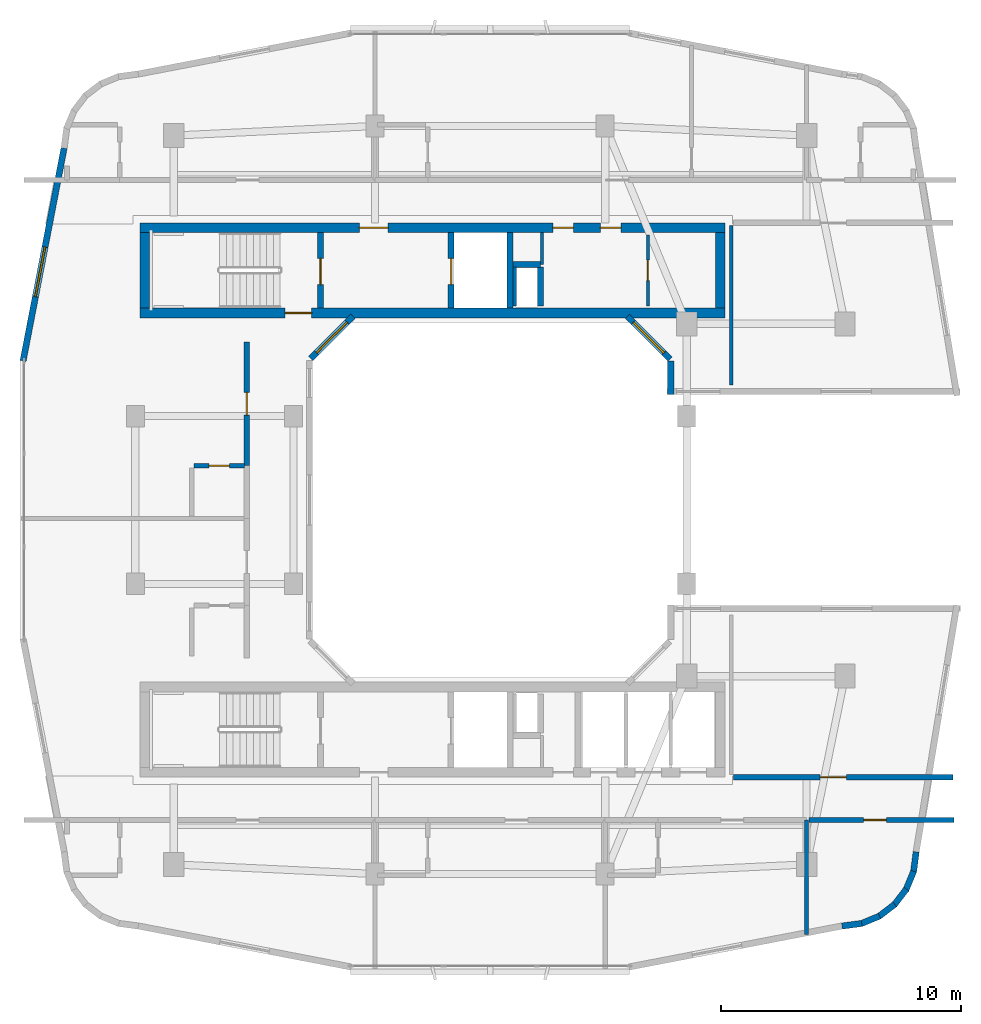
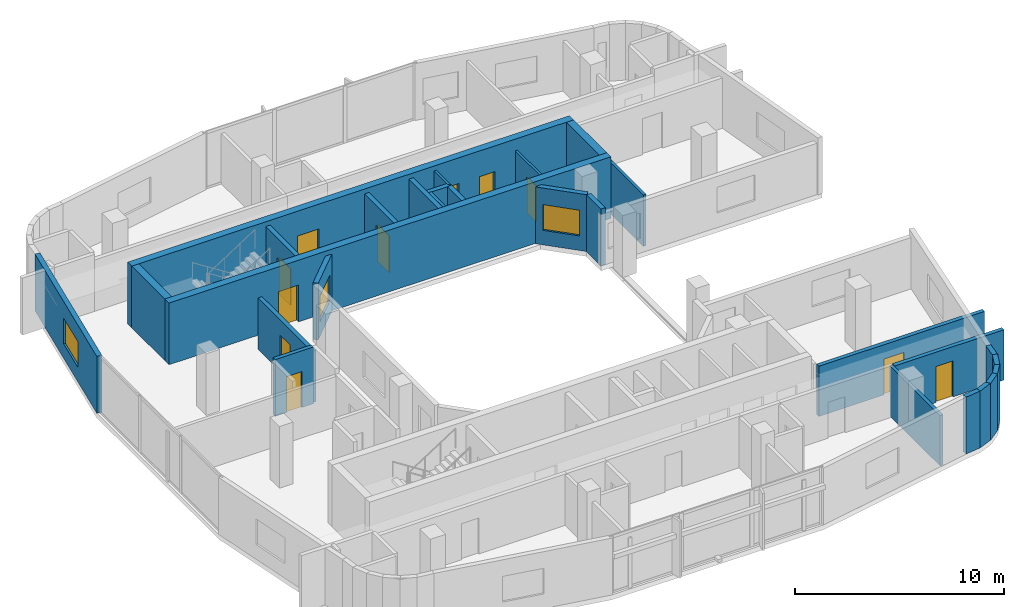
# One storey, part 6 of 12: 28 walls, 11 doors, 3 windows, 14 openings.
"""IFC4 building model written with IfcOpenShell, lengths in metres."""

from ifc_helpers import new_model, si_unit, derived_unit, direction, frame, frame_2d, origin, place, context, subcontext, project, spatial, rectangle, extrude, material, layer, layer_set, type_object, element, fill, save


model = new_model("IFC4")

# Units and contexts
model_context = context("Model", 3, precision=1e-05, world=origin(), true_north=direction((0.0, 1.0)))
body_context = subcontext(model_context, "Body", "Model", "MODEL_VIEW")
ifc_project = project(units=[si_unit("LENGTHUNIT", "METRE"), si_unit("AREAUNIT", "SQUARE_METRE"), si_unit("VOLUMEUNIT", "CUBIC_METRE"), si_unit("PLANEANGLEUNIT", "RADIAN"), si_unit("MASSUNIT", "GRAM", prefix="KILO"), derived_unit("THERMALTRANSMITTANCEUNIT", [(si_unit("POWERUNIT", "WATT"), 1), (si_unit("LENGTHUNIT", "METRE"), -2), (si_unit("THERMODYNAMICTEMPERATUREUNIT", "KELVIN"), -1)])], contexts=[model_context])

# Site, building, storey
site_placement = place(None, origin())
site = spatial("IfcSite", under=ifc_project, at=site_placement, CompositionType="ELEMENT")
building_placement = place(site_placement, origin())
building = spatial("IfcBuilding", under=site, at=building_placement, Name="Kivonza Crest Hotel", CompositionType="ELEMENT")
storey_placement = place(building_placement, frame((0.0, 0.0, 181.10009765625)))
storey = spatial("IfcBuildingStorey", under=building, at=storey_placement, Name="L49", CompositionType="ELEMENT", Elevation=181.10009765625)

# Wall
ifc_material_1 = material(Name="High-density acoustic masonry inter-tenancy wall", Category="masonry")
ifc_layer_1 = layer(ifc_material_1, 0.179931640625)
ifc_layer_set_1 = layer_set([ifc_layer_1], Name="High-density acoustic masonry inter-tenancy wall")
wall_type_1 = type_object("IfcWallType", Name="WL-ACOU-180", PredefinedType="SOLIDWALL", material=ifc_layer_set_1)
wall_1_placement = place(storey_placement, frame((34.199951171875, 6.8720703125, 0.0), z_axis=(0.0, 0.0, 1.0), x_axis=(0.0, 1.0, 0.0)))
element("IfcWall", 1, at=wall_1_placement, inside=storey, type_object=wall_type_1, Name="L49 interior partition WA-L49-T1S-DIV3", PredefinedType="SOLIDWALL", context=body_context, shape_type="SweptSolid", body=[
    extrude(rectangle(XDim=4.77783203125, YDim=0.179931640625, at=frame_2d((2.388916015625, 0.0))), origin(), (0.0, 0.0, 1.0), 2.934814453125),
])

# Wall, opening, door
ifc_material_2 = material(Name="Autoclaved aerated concrete blockwork", Category="masonry")
ifc_layer_2 = layer(ifc_material_2, 0.219970703125)
ifc_layer_set_2 = layer_set([ifc_layer_2], Name="Autoclaved aerated concrete blockwork")
wall_type_2 = type_object("IfcWallType", Name="WL-ACOU-220", PredefinedType="SOLIDWALL", material=ifc_layer_set_2)
wall_2_placement = place(storey_placement, frame((34.300048828125, 11.64990234375, 0.0), z_axis=(0.0, 0.0, 1.0), x_axis=(1.0, 0.0, 0.0)))
wall_2 = element("IfcWall", 2, at=wall_2_placement, inside=storey, type_object=wall_type_2, Name="L49 interior partition WA-L49-BUS-MTG-N", PredefinedType="SOLIDWALL", context=body_context, shape_type="SweptSolid", body=[
    extrude(rectangle(XDim=6.0400390625, YDim=0.219970703125, at=frame_2d((3.02001953125, 0.0))), origin(), (0.0, 0.0, 1.0), 2.934814453125),
])
opening_1_placement = place(wall_2_placement, frame((2.280029296875, 0.0, 0.0)))
opening_1 = element("IfcOpeningElement", 3, at=opening_1_placement, cuts=wall_2, Name="Opening DF-60S", PredefinedType="OPENING", context=body_context, shape_type="SweptSolid", body=[
    extrude(rectangle(XDim=0.949951171875, YDim=2.10009765625, at=frame_2d((0.47509765625, 1.050048828125))), frame((0.0, 0.1201171875, 0.0), z_axis=(0.0, -1.0, 0.0), x_axis=(1.0, 0.0, 0.0)), (0.0, 0.0, 1.0), 0.239990234375),
])
ifc_material_3 = material(Name="Hardwood timber oak", Category="wood")
door_type_1 = type_object("IfcDoorType", Name="DR-FD60-950", OperationType="NOTDEFINED", PredefinedType="DOOR", material=ifc_material_3)
door_1_placement = place(opening_1_placement, frame((0.949951171875, 0.0, 0.0), z_axis=(0.0, 0.0, 1.0), x_axis=(-1.0, 0.0, 0.0)))
door_1 = element("IfcDoor", 4, at=door_1_placement, inside=storey, type_object=door_type_1, Name="L49 Executive Club Lounge door", OperationType="SINGLE_SWING_RIGHT", OverallHeight=2.10009765625, OverallWidth=0.949951171875, PredefinedType="DOOR", context=body_context, shape_type="SweptSolid", body=[
    extrude(rectangle(XDim=0.949951171875, YDim=2.10009765625, at=frame_2d((0.47509765625, 1.050048828125))), frame((0.0, 0.02490234375, 0.0), z_axis=(0.0, -1.0, 0.0), x_axis=(1.0, 0.0, 0.0)), (0.0, 0.0, 1.0), 0.050048828125),
])
fill(opening_1, door_1)

wall_3_placement = place(storey_placement, frame((10.85009765625, 26.429931640625, 0.0), z_axis=(0.0, 0.0, 1.0), x_axis=(0.0, 1.0, 0.0)))
wall_3 = element("IfcWall", 5, at=wall_3_placement, inside=storey, type_object=wall_type_2, Name="L49 interior partition WA-L49-W08-MCORR", PredefinedType="SOLIDWALL", context=body_context, shape_type="SweptSolid", body=[
    extrude(rectangle(XDim=5.170166015625, YDim=0.219970703125, at=frame_2d((2.5849609375, 0.0))), origin(), (0.0, 0.0, 1.0), 2.994873046875),
])
opening_2_placement = place(wall_3_placement, frame((2.110107421875, 0.0, 0.0)))
opening_2 = element("IfcOpeningElement", 6, at=opening_2_placement, cuts=wall_3, Name="Opening DU-60", PredefinedType="OPENING", context=body_context, shape_type="SweptSolid", body=[
    extrude(rectangle(XDim=0.949951171875, YDim=2.10009765625, at=frame_2d((0.47509765625, 1.050048828125))), frame((0.0, 0.1201171875, 0.0), z_axis=(0.0, -1.0, 0.0), x_axis=(1.0, 0.0, 0.0)), (0.0, 0.0, 1.0), 0.239990234375),
])
door_type_2 = type_object("IfcDoorType", Name="DR-UNIT-950", OperationType="NOTDEFINED", PredefinedType="DOOR", material=ifc_material_3)
door_2_placement = place(opening_2_placement, origin())
door_2 = element("IfcDoor", 7, at=door_2_placement, inside=storey, type_object=door_type_2, Name="L49 W08 guest unit entrance fire door", OperationType="SINGLE_SWING_RIGHT", OverallHeight=2.10009765625, OverallWidth=0.949951171875, PredefinedType="DOOR", context=body_context, shape_type="SweptSolid", body=[
    extrude(rectangle(XDim=0.949951171875, YDim=2.10009765625, at=frame_2d((0.47509765625, 1.050048828125))), frame((0.0, 0.02490234375, 0.0), z_axis=(0.0, -1.0, 0.0), x_axis=(1.0, 0.0, 0.0)), (0.0, 0.0, 1.0), 0.050048828125),
])
fill(opening_2, door_2)

wall_4_placement = place(storey_placement, frame((31.14990234375, 13.43994140625, 0.0), z_axis=(0.0, 0.0, 1.0), x_axis=(1.0, 0.0, 0.0)))
wall_4 = element("IfcWall", 8, at=wall_4_placement, inside=storey, type_object=wall_type_2, Name="L49 interior partition WA-L49-EP1-S", PredefinedType="SOLIDWALL", context=body_context, shape_type="SweptSolid", body=[
    extrude(rectangle(XDim=9.150146484375, YDim=0.219970703125, at=frame_2d((4.5751953125, 0.0))), origin(), (0.0, 0.0, 1.0), 2.934814453125),
])
opening_3_placement = place(wall_4_placement, frame((3.612060546875, 0.0, 0.0)))
opening_3 = element("IfcOpeningElement", 9, at=opening_3_placement, cuts=wall_4, Name="Opening DF-60M", PredefinedType="OPENING", context=body_context, shape_type="SweptSolid", body=[
    extrude(rectangle(XDim=1.10009765625, YDim=2.10009765625, at=frame_2d((0.550048828125, 1.050048828125))), frame((0.0, 0.1201171875, 0.0), z_axis=(0.0, -1.0, 0.0), x_axis=(1.0, 0.0, 0.0)), (0.0, 0.0, 1.0), 0.239990234375),
])
door_type_3 = type_object("IfcDoorType", Name="DR-FD60-1100", OperationType="NOTDEFINED", PredefinedType="DOOR", material=ifc_material_3)
door_3_placement = place(opening_3_placement, origin())
door_3 = element("IfcDoor", 10, at=door_3_placement, inside=storey, type_object=door_type_3, Name="L49 South Portal Sky Salon door", OperationType="SINGLE_SWING_RIGHT", OverallHeight=2.10009765625, OverallWidth=1.10009765625, PredefinedType="DOOR", context=body_context, shape_type="SweptSolid", body=[
    extrude(rectangle(XDim=1.10009765625, YDim=2.10009765625, at=frame_2d((0.550048828125, 1.050048828125))), frame((0.0, 0.02490234375, 0.0), z_axis=(0.0, -1.0, 0.0), x_axis=(1.0, 0.0, 0.0)), (0.0, 0.0, 1.0), 0.050048828125),
])
fill(opening_3, door_3)

ifc_material_4 = material(Name="Concrete C50/60", Category="concrete")
ifc_layer_3 = layer(ifc_material_4, 0.39990234375)
ifc_layer_set_3 = layer_set([ifc_layer_3], Name="Concrete C50/60")
wall_type_3 = type_object("IfcWallType", Name="WL-CORE-400", PredefinedType="SHEAR", material=ifc_layer_set_3)
wall_5_placement = place(storey_placement, frame((6.39990234375, 32.800048828125, 0.0), z_axis=(0.0, 0.0, 1.0), x_axis=(1.0, 0.0, 0.0)))
wall_5 = element("IfcWall", 11, at=wall_5_placement, inside=storey, type_object=wall_type_3, Name="Core wall T1-N South L49", PredefinedType="SHEAR", context=body_context, shape_type="SweptSolid", body=[
    extrude(rectangle(XDim=24.400146484375, YDim=0.39990234375, at=frame_2d((12.2001953125, 0.0))), origin(), (0.0, 0.0, 1.0), 3.599853515625),
])
opening_4_placement = place(wall_5_placement, frame((6.050048828125, 0.0, 0.0)))
opening_4 = element("IfcOpeningElement", 12, at=opening_4_placement, cuts=wall_5, Name="Opening DF-120", PredefinedType="OPENING", context=body_context, shape_type="SweptSolid", body=[
    extrude(rectangle(XDim=1.10009765625, YDim=2.14990234375, at=frame_2d((0.550048828125, 1.074951171875))), frame((0.0, 0.2099609375, 0.0), z_axis=(0.0, -1.0, 0.0), x_axis=(1.0, 0.0, 0.0)), (0.0, 0.0, 1.0), 0.419921875),
])
ifc_material_5 = material(Name="Galvanised steel", Category="steel")
door_type_4 = type_object("IfcDoorType", Name="DR-FD120-1100", OperationType="NOTDEFINED", PredefinedType="DOOR", material=ifc_material_5)
door_4_placement = place(opening_4_placement, origin())
door_4 = element("IfcDoor", 13, at=door_4_placement, inside=storey, type_object=door_type_4, Name="L49 West corridor stair access fire door", OperationType="SINGLE_SWING_LEFT", OverallHeight=2.14990234375, OverallWidth=1.10009765625, PredefinedType="DOOR", context=body_context, shape_type="SweptSolid", body=[
    extrude(rectangle(XDim=1.10009765625, YDim=2.14990234375, at=frame_2d((0.550048828125, 1.074951171875))), frame((0.0, 0.02490234375, 0.0), z_axis=(0.0, -1.0, 0.0), x_axis=(1.0, 0.0, 0.0)), (0.0, 0.0, 1.0), 0.050048828125),
])
fill(opening_4, door_4)

# Wall, openings, doors
wall_6_placement = place(storey_placement, frame((6.39990234375, 36.360107421875, 0.0), z_axis=(0.0, 0.0, 1.0), x_axis=(1.0, 0.0, 0.0)))
wall_6 = element("IfcWall", 14, at=wall_6_placement, inside=storey, type_object=wall_type_3, Name="Core wall T1-N North L49", PredefinedType="SHEAR", context=body_context, shape_type="SweptSolid", body=[
    extrude(rectangle(XDim=24.400146484375, YDim=0.39990234375, at=frame_2d((12.2001953125, 0.0))), origin(), (0.0, 0.0, 1.0), 3.599853515625),
])
opening_5_placement = place(wall_6_placement, frame((9.14990234375, 0.0, 0.0)))
opening_5 = element("IfcOpeningElement", 15, at=opening_5_placement, cuts=wall_6, Name="Opening DF-60", PredefinedType="OPENING", context=body_context, shape_type="SweptSolid", body=[
    extrude(rectangle(XDim=1.199951171875, YDim=2.14990234375, at=frame_2d((0.60009765625, 1.074951171875))), frame((0.0, 0.2099609375, 0.0), z_axis=(0.0, -1.0, 0.0), x_axis=(1.0, 0.0, 0.0)), (0.0, 0.0, 1.0), 0.419921875),
])
opening_6_placement = place(wall_6_placement, frame((19.199951171875, 0.0, 0.0)))
opening_6 = element("IfcOpeningElement", 16, at=opening_6_placement, cuts=wall_6, Name="Opening DF-60R", PredefinedType="OPENING", context=body_context, shape_type="SweptSolid", body=[
    extrude(rectangle(XDim=0.85009765625, YDim=2.10009765625, at=frame_2d((0.425048828125, 1.050048828125))), frame((0.0, 0.2099609375, 0.0), z_axis=(0.0, -1.0, 0.0), x_axis=(1.0, 0.0, 0.0)), (0.0, 0.0, 1.0), 0.419921875),
])
opening_7_placement = place(wall_6_placement, frame((17.219970703125, 0.0, 0.0)))
opening_7 = element("IfcOpeningElement", 17, at=opening_7_placement, cuts=wall_6, Name="Opening DF-60R", PredefinedType="OPENING", context=body_context, shape_type="SweptSolid", body=[
    extrude(rectangle(XDim=0.85009765625, YDim=2.10009765625, at=frame_2d((0.425048828125, 1.050048828125))), frame((0.0, 0.2099609375, 0.0), z_axis=(0.0, -1.0, 0.0), x_axis=(1.0, 0.0, 0.0)), (0.0, 0.0, 1.0), 0.419921875),
])
door_type_5 = type_object("IfcDoorType", Name="DR-FD60-1200", OperationType="NOTDEFINED", PredefinedType="DOOR", material=ifc_material_3)
door_5_placement = place(opening_5_placement, origin())
door_5 = element("IfcDoor", 18, at=door_5_placement, inside=storey, type_object=door_type_5, Name="L49 T1-N firefighting lobby fire door", OperationType="SINGLE_SWING_RIGHT", OverallHeight=2.14990234375, OverallWidth=1.199951171875, PredefinedType="DOOR", context=body_context, shape_type="SweptSolid", body=[
    extrude(rectangle(XDim=1.199951171875, YDim=2.14990234375, at=frame_2d((0.60009765625, 1.074951171875))), frame((0.0, 0.02490234375, 0.0), z_axis=(0.0, -1.0, 0.0), x_axis=(1.0, 0.0, 0.0)), (0.0, 0.0, 1.0), 0.050048828125),
])
fill(opening_5, door_5)
door_type_6 = type_object("IfcDoorType", Name="DR-FD60-850", OperationType="NOTDEFINED", PredefinedType="DOOR", material=ifc_material_3)
door_6_placement = place(opening_6_placement, origin())
door_6 = element("IfcDoor", 19, at=door_6_placement, inside=storey, type_object=door_type_6, Name="L49 T1-N reclaimed core service door", OperationType="SINGLE_SWING_LEFT", OverallHeight=2.10009765625, OverallWidth=0.85009765625, PredefinedType="DOOR", context=body_context, shape_type="SweptSolid", body=[
    extrude(rectangle(XDim=0.85009765625, YDim=2.10009765625, at=frame_2d((0.425048828125, 1.050048828125))), frame((0.0, 0.02490234375, 0.0), z_axis=(0.0, -1.0, 0.0), x_axis=(1.0, 0.0, 0.0)), (0.0, 0.0, 1.0), 0.050048828125),
])
fill(opening_6, door_6)
door_7_placement = place(opening_7_placement, origin())
door_7 = element("IfcDoor", 20, at=door_7_placement, inside=storey, type_object=door_type_6, Name="L49 T1-N core room door", OperationType="SINGLE_SWING_RIGHT", OverallHeight=2.10009765625, OverallWidth=0.85009765625, PredefinedType="DOOR", context=body_context, shape_type="SweptSolid", body=[
    extrude(rectangle(XDim=0.85009765625, YDim=2.10009765625, at=frame_2d((0.425048828125, 1.050048828125))), frame((0.0, 0.02490234375, 0.0), z_axis=(0.0, -1.0, 0.0), x_axis=(1.0, 0.0, 0.0)), (0.0, 0.0, 1.0), 0.050048828125),
])
fill(opening_7, door_7)

# Walls
for number, where, z_axis, x_axis, name in (
    (21, (6.60009765625, 33.0, 0.0), (0.0, 0.0, 1.0), (0.0, 1.0, 0.0), "Core wall T1-N West L49"),
    (22, (30.60009765625, 33.0, 0.0), (0.0, 0.0, 1.0), (0.0, 1.0, 0.0), "Core wall T1-N East L49"),
):
    element("IfcWall", number, at=place(storey_placement, frame(where, z_axis=z_axis, x_axis=x_axis)), inside=storey, type_object=wall_type_3, Name=name, PredefinedType="SHEAR", context=body_context, shape_type="SweptSolid", body=[
        extrude(rectangle(XDim=3.159912109375, YDim=0.39990234375, at=frame_2d((1.580078125, 0.0))), origin(), (0.0, 0.0, 1.0), 3.599853515625),
    ])
ifc_material_6 = material(Name="Precast concrete C40/50", Category="concrete")
ifc_layer_4 = layer(ifc_material_6, 0.260009765625)
ifc_layer_set_4 = layer_set([ifc_layer_4], Name="Precast concrete C40/50")
wall_type_4 = type_object("IfcWallType", Name="WL-EXT-260", PredefinedType="STANDARD", material=ifc_layer_set_4)
wall_7_placement = place(storey_placement, frame((35.675048828125, 7.22802734375, 0.0), z_axis=(0.0, 0.0, 1.0), x_axis=(0.99142134712, 0.130704676564, 0.0)))
element("IfcWall", 23, at=wall_7_placement, inside=storey, type_object=wall_type_4, Name="L49 T1 exterior insulated wall 10", PredefinedType="STANDARD", context=body_context, shape_type="SweptSolid", body=[
    extrude(rectangle(XDim=0.8330078125, YDim=0.260009765625, at=frame_2d((0.41650390625, 0.0))), origin(), (0.0, 0.0, 1.0), 3.31982421875),
])
wall_8_placement = place(storey_placement, frame((36.455078125, 7.319091796875, 0.0), z_axis=(0.0, 0.0, 1.0), x_axis=(0.923712395518, 0.383086687796, 0.0)))
element("IfcWall", 24, at=wall_8_placement, inside=storey, type_object=wall_type_4, Name="L49 T1 exterior insulated wall 11", PredefinedType="STANDARD", context=body_context, shape_type="SweptSolid", body=[
    extrude(rectangle(XDim=0.850830078125, YDim=0.260009765625, at=frame_2d((0.42529296875, 0.0))), origin(), (0.0, 0.0, 1.0), 3.31982421875),
])
for number, where, z_axis, x_axis, name in (
    (25, (37.200927734375, 7.616943359375, 0.0), (0.0, 0.0, 1.0), (0.793860452124, 0.608099977432, 0.0), "L49 T1 exterior insulated wall 12"),
    (26, (37.844970703125, 8.095947265625, 0.0), (0.0, 0.0, 1.0), (0.608099977432, 0.793860452124, 0.0), "L49 T1 exterior insulated wall 13"),
):
    element("IfcWall", number, at=place(storey_placement, frame(where, z_axis=z_axis, x_axis=x_axis)), inside=storey, type_object=wall_type_4, Name=name, PredefinedType="STANDARD", context=body_context, shape_type="SweptSolid", body=[
        extrude(rectangle(XDim=0.850341796875, YDim=0.260009765625, at=frame_2d((0.42529296875, 0.0))), origin(), (0.0, 0.0, 1.0), 3.31982421875),
    ])
wall_9_placement = place(storey_placement, frame((38.341064453125, 8.72705078125, 0.0), z_axis=(0.0, 0.0, 1.0), x_axis=(0.383086687796, 0.923712395518, 0.0)))
element("IfcWall", 27, at=wall_9_placement, inside=storey, type_object=wall_type_4, Name="L49 T1 exterior insulated wall 14", PredefinedType="STANDARD", context=body_context, shape_type="SweptSolid", body=[
    extrude(rectangle(XDim=0.850830078125, YDim=0.260009765625, at=frame_2d((0.42529296875, 0.0))), origin(), (0.0, 0.0, 1.0), 3.31982421875),
])
wall_10_placement = place(storey_placement, frame((38.658935546875, 9.464111328125, 0.0), z_axis=(0.0, 0.0, 1.0), x_axis=(0.130192647656, 0.991488716273, 0.0)))
element("IfcWall", 28, at=wall_10_placement, inside=storey, type_object=wall_type_4, Name="L49 T1 exterior insulated wall 15", PredefinedType="STANDARD", context=body_context, shape_type="SweptSolid", body=[
    extrude(rectangle(XDim=0.8681640625, YDim=0.260009765625, at=frame_2d((0.43408203125, 0.0))), origin(), (0.0, 0.0, 1.0), 3.31982421875),
])

# Wall, opening, window
wall_11_placement = place(storey_placement, frame((13.514892578125, 30.89892578125, 0.0), z_axis=(0.0, 0.0, 1.0), x_axis=(0.707106781187, 0.707106781187, 0.0)))
wall_11 = element("IfcWall", 29, at=wall_11_placement, inside=storey, type_object=wall_type_4, Name="L49 T1 exterior insulated wall 23", PredefinedType="STANDARD", context=body_context, shape_type="SweptSolid", body=[
    extrude(rectangle(XDim=2.493408203125, YDim=0.260009765625, at=frame_2d((1.24658203125, 0.0))), origin(), (0.0, 0.0, 1.0), 3.31982421875),
])
opening_8_placement = place(wall_11_placement, frame((0.346923828125, 0.0, 0.85009765625)))
opening_8 = element("IfcOpeningElement", 30, at=opening_8_placement, cuts=wall_11, Name="Opening WN-03", PredefinedType="OPENING", context=body_context, shape_type="SweptSolid", body=[
    extrude(rectangle(XDim=1.800048828125, YDim=1.5, at=frame_2d((0.89990234375, 0.75))), frame((0.0, 0.14013671875, 0.0), z_axis=(0.0, -1.0, 0.0), x_axis=(1.0, 0.0, 0.0)), (0.0, 0.0, 1.0), 0.280029296875),
])
ifc_material_7 = material(Name="Thermally broken bronze aluminium and low-E double glazing", Category="aluminium")
window_type_1 = type_object("IfcWindowType", Name="WN-180x150", PartitioningType="DOUBLE_PANEL_VERTICAL", PredefinedType="WINDOW", material=ifc_material_7)
window_1_placement = place(opening_8_placement, origin())
window_1 = element("IfcWindow", 31, at=window_1_placement, inside=storey, type_object=window_type_1, Name="L49 T1 facade window 23", OverallHeight=1.5, OverallWidth=1.800048828125, PartitioningType="SINGLE_PANEL", PredefinedType="WINDOW", context=body_context, shape_type="SweptSolid", body=[
    extrude(rectangle(XDim=1.800048828125, YDim=1.5, at=frame_2d((0.89990234375, 0.75))), frame((0.0, 0.030029296875, 0.0), z_axis=(0.0, -1.0, 0.0), x_axis=(1.0, 0.0, 0.0)), (0.0, 0.0, 1.0), 0.06005859375),
])
fill(opening_8, window_1)

wall_12_placement = place(storey_placement, frame((26.721923828125, 32.662109375, 0.0), z_axis=(0.0, 0.0, 1.0), x_axis=(0.707106781187, -0.707106781187, 0.0)))
wall_12 = element("IfcWall", 32, at=wall_12_placement, inside=storey, type_object=wall_type_4, Name="L49 T1 exterior insulated wall 25", PredefinedType="STANDARD", context=body_context, shape_type="SweptSolid", body=[
    extrude(rectangle(XDim=2.52880859375, YDim=0.260009765625, at=frame_2d((1.264404296875, 0.0))), origin(), (0.0, 0.0, 1.0), 3.31982421875),
])
opening_9_placement = place(wall_12_placement, frame((0.364013671875, 0.0, 0.85009765625)))
opening_9 = element("IfcOpeningElement", 33, at=opening_9_placement, cuts=wall_12, Name="Opening WN-03", PredefinedType="OPENING", context=body_context, shape_type="SweptSolid", body=[
    extrude(rectangle(XDim=1.800048828125, YDim=1.5, at=frame_2d((0.89990234375, 0.75))), frame((0.0, 0.14013671875, 0.0), z_axis=(0.0, -1.0, 0.0), x_axis=(1.0, 0.0, 0.0)), (0.0, 0.0, 1.0), 0.280029296875),
])
window_2_placement = place(opening_9_placement, origin())
window_2 = element("IfcWindow", 34, at=window_2_placement, inside=storey, type_object=window_type_1, Name="L49 T1 facade window 25", OverallHeight=1.5, OverallWidth=1.800048828125, PartitioningType="SINGLE_PANEL", PredefinedType="WINDOW", context=body_context, shape_type="SweptSolid", body=[
    extrude(rectangle(XDim=1.800048828125, YDim=1.5, at=frame_2d((0.89990234375, 0.75))), frame((0.0, 0.030029296875, 0.0), z_axis=(0.0, -1.0, 0.0), x_axis=(1.0, 0.0, 0.0)), (0.0, 0.0, 1.0), 0.06005859375),
])
fill(opening_9, window_2)

# Wall
wall_13_placement = place(storey_placement, frame((28.530029296875, 30.7900390625, 0.0), z_axis=(0.0, 0.0, 1.0), x_axis=(0.0, -1.0, 0.0)))
element("IfcWall", 35, at=wall_13_placement, inside=storey, type_object=wall_type_4, Name="L49 T1 exterior insulated wall 26", PredefinedType="STANDARD", context=body_context, shape_type="SweptSolid", body=[
    extrude(rectangle(XDim=1.380126953125, YDim=0.260009765625, at=frame_2d((0.68994140625, 0.0))), origin(), (0.0, 0.0, 1.0), 3.31982421875),
])

# Wall, opening, window
wall_14_placement = place(storey_placement, frame((3.22998046875, 39.68310546875, 0.0), z_axis=(0.0, 0.0, 1.0), x_axis=(-0.189254809039, -0.98192801022, 0.0)))
wall_14 = element("IfcWall", 36, at=wall_14_placement, inside=storey, type_object=wall_type_4, Name="L49 T1 exterior insulated wall 44", PredefinedType="STANDARD", context=body_context, shape_type="SweptSolid", body=[
    extrude(rectangle(XDim=9.045654296875, YDim=0.260009765625, at=frame_2d((4.52294921875, 0.0))), origin(), (0.0, 0.0, 1.0), 3.31982421875),
])
opening_10_placement = place(wall_14_placement, frame((4.2119140625, 0.0, 0.85009765625)))
opening_10 = element("IfcOpeningElement", 37, at=opening_10_placement, cuts=wall_14, Name="Opening WN-04", PredefinedType="OPENING", context=body_context, shape_type="SweptSolid", body=[
    extrude(rectangle(XDim=2.10009765625, YDim=1.5, at=frame_2d((1.050048828125, 0.75))), frame((0.0, 0.14013671875, 0.0), z_axis=(0.0, -1.0, 0.0), x_axis=(1.0, 0.0, 0.0)), (0.0, 0.0, 1.0), 0.280029296875),
])
window_type_2 = type_object("IfcWindowType", Name="WN-210x150", PartitioningType="DOUBLE_PANEL_VERTICAL", PredefinedType="WINDOW", material=ifc_material_7)
window_3_placement = place(opening_10_placement, origin())
window_3 = element("IfcWindow", 38, at=window_3_placement, inside=storey, type_object=window_type_2, Name="L49 T1 facade window 44", OverallHeight=1.5, OverallWidth=2.10009765625, PartitioningType="SINGLE_PANEL", PredefinedType="WINDOW", context=body_context, shape_type="SweptSolid", body=[
    extrude(rectangle(XDim=2.10009765625, YDim=1.5, at=frame_2d((1.050048828125, 0.75))), frame((0.0, 0.030029296875, 0.0), z_axis=(0.0, -1.0, 0.0), x_axis=(1.0, 0.0, 0.0)), (0.0, 0.0, 1.0), 0.06005859375),
])
fill(opening_10, window_3)

# Walls
ifc_material_8 = material(Name="Concrete blockwork fire-compartment wall", Category="masonry")
ifc_layer_5 = layer(ifc_material_8, 0.25)
ifc_layer_set_5 = layer_set([ifc_layer_5], Name="Concrete blockwork fire-compartment wall")
wall_type_5 = type_object("IfcWallType", Name="WL-FIRE-250", PredefinedType="SOLIDWALL", material=ifc_layer_set_5)
wall_15_placement = place(storey_placement, frame((23.10009765625, 33.10009765625, 0.0), z_axis=(0.0, 0.0, 1.0), x_axis=(0.0, 1.0, 0.0)))
element("IfcWall", 39, at=wall_15_placement, inside=storey, type_object=wall_type_5, Name="L49 interior partition WA-L49-T1-N-MEPR-E", PredefinedType="SOLIDWALL", context=body_context, shape_type="SweptSolid", body=[
    extrude(rectangle(XDim=1.619873046875, YDim=0.25, at=frame_2d((0.81005859375, 0.0))), origin(), (0.0, 0.0, 1.0), 3.31982421875),
])
wall_16_placement = place(storey_placement, frame((21.949951171875, 34.820068359375, 0.0), z_axis=(0.0, 0.0, 1.0), x_axis=(1.0, 0.0, 0.0)))
element("IfcWall", 40, at=wall_16_placement, inside=storey, type_object=wall_type_5, Name="L49 interior partition WA-L49-T1-N-MEPR-H", PredefinedType="SOLIDWALL", context=body_context, shape_type="SweptSolid", body=[
    extrude(rectangle(XDim=1.150146484375, YDim=0.25, at=frame_2d((0.5751953125, 0.0))), origin(), (0.0, 0.0, 1.0), 3.31982421875),
])

# Wall, opening, door
ifc_material_9 = material(Name="Metal-stud gypsum board partition", Category="gypsum")
ifc_layer_6 = layer(ifc_material_9, 0.125)
ifc_layer_set_6 = layer_set([ifc_layer_6], Name="Metal-stud gypsum board partition")
wall_type_6 = type_object("IfcWallType", Name="WL-PART-125", PredefinedType="PARTITIONING", material=ifc_layer_set_6)
wall_17_placement = place(storey_placement, frame((27.580078125, 33.10009765625, 0.0), z_axis=(0.0, 0.0, 1.0), x_axis=(0.0, 1.0, 0.0)))
wall_17 = element("IfcWall", 41, at=wall_17_placement, inside=storey, type_object=wall_type_6, Name="L49 interior partition WP-L49-T1-N-RECL", PredefinedType="PARTITIONING", context=body_context, shape_type="SweptSolid", body=[
    extrude(rectangle(XDim=2.9599609375, YDim=0.125, at=frame_2d((1.47998046875, 0.0))), origin(), (0.0, 0.0, 1.0), 2.994873046875),
])
opening_11_placement = place(wall_17_placement, frame((1.054931640625, 0.0, 0.0)))
opening_11 = element("IfcOpeningElement", 42, at=opening_11_placement, cuts=wall_17, Name="Opening DI-85", PredefinedType="OPENING", context=body_context, shape_type="SweptSolid", body=[
    extrude(rectangle(XDim=0.85009765625, YDim=2.10009765625, at=frame_2d((0.425048828125, 1.050048828125))), frame((0.0, 0.072509765625, 0.0), z_axis=(0.0, -1.0, 0.0), x_axis=(1.0, 0.0, 0.0)), (0.0, 0.0, 1.0), 0.14501953125),
])
door_type_7 = type_object("IfcDoorType", Name="DR-INT-850", OperationType="NOTDEFINED", PredefinedType="DOOR", material=ifc_material_3)
door_8_placement = place(opening_11_placement, origin())
door_8 = element("IfcDoor", 43, at=door_8_placement, inside=storey, type_object=door_type_7, Name="L49 T1-N reclaimed inner pantry door", OperationType="SINGLE_SWING_LEFT", OverallHeight=2.10009765625, OverallWidth=0.85009765625, PredefinedType="DOOR", context=body_context, shape_type="SweptSolid", body=[
    extrude(rectangle(XDim=0.85009765625, YDim=2.10009765625, at=frame_2d((0.425048828125, 1.050048828125))), frame((0.0, 0.02490234375, 0.0), z_axis=(0.0, -1.0, 0.0), x_axis=(1.0, 0.0, 0.0)), (0.0, 0.0, 1.0), 0.050048828125),
])
fill(opening_11, door_8)

# Walls
wall_18_placement = place(storey_placement, frame((23.159912109375, 34.820068359375, 0.0), z_axis=(0.0, 0.0, 1.0), x_axis=(0.0, 1.0, 0.0)))
element("IfcWall", 44, at=wall_18_placement, inside=storey, type_object=wall_type_6, Name="L49 interior partition WP-L49-T1-N-SV1V", PredefinedType="PARTITIONING", context=body_context, shape_type="SweptSolid", body=[
    extrude(rectangle(XDim=1.33984375, YDim=0.125, at=frame_2d((0.669921875, 0.0))), origin(), (0.0, 0.0, 1.0), 3.31982421875),
])
ifc_material_10 = material(Name="Twin-stud acoustic gypsum board partition", Category="gypsum")
ifc_layer_7 = layer(ifc_material_10, 0.14990234375)
ifc_layer_set_7 = layer_set([ifc_layer_7], Name="Twin-stud acoustic gypsum board partition")
wall_type_7 = type_object("IfcWallType", Name="WL-PART-150", PredefinedType="PARTITIONING", material=ifc_layer_set_7)
wall_19_placement = place(storey_placement, frame((22.030029296875, 33.10009765625, 0.0), z_axis=(0.0, 0.0, 1.0), x_axis=(0.0, 1.0, 0.0)))
element("IfcWall", 45, at=wall_19_placement, inside=storey, type_object=wall_type_7, Name="L49 interior partition WA-L49-T1-N-MEPR-W", PredefinedType="PARTITIONING", context=body_context, shape_type="SweptSolid", body=[
    extrude(rectangle(XDim=1.619873046875, YDim=0.14990234375, at=frame_2d((0.81005859375, 0.0))), origin(), (0.0, 0.0, 1.0), 3.31982421875),
])
wall_20_placement = place(storey_placement, frame((31.050048828125, 29.800048828125, 0.0), z_axis=(0.0, 0.0, 1.0), x_axis=(0.0, 1.0, 0.0)))
element("IfcWall", 46, at=wall_20_placement, inside=storey, type_object=wall_type_7, Name="L49 interior partition WP-L49-EP2-BW", PredefinedType="PARTITIONING", context=body_context, shape_type="SweptSolid", body=[
    extrude(rectangle(XDim=6.659912109375, YDim=0.14990234375, at=frame_2d((3.330078125, 0.0))), origin(), (0.0, 0.0, 1.0), 2.994873046875),
])

# Wall, opening, door
ifc_material_11 = material(Name="Moisture-resistant plumbing chase partition wall", Category="gypsum")
ifc_layer_8 = layer(ifc_material_11, 0.199951171875)
ifc_layer_set_8 = layer_set([ifc_layer_8], Name="Moisture-resistant plumbing chase partition wall")
wall_type_8 = type_object("IfcWallType", Name="WL-PLUMB-200", PredefinedType="PLUMBINGWALL", material=ifc_layer_set_8)
wall_21_placement = place(storey_placement, frame((8.64990234375, 26.429931640625, 0.0), z_axis=(0.0, 0.0, 1.0), x_axis=(1.0, 0.0, 0.0)))
wall_21 = element("IfcWall", 47, at=wall_21_placement, inside=storey, type_object=wall_type_8, Name="L49 interior partition WW-L49-W08-BH", PredefinedType="PLUMBINGWALL", context=body_context, shape_type="SweptSolid", body=[
    extrude(rectangle(XDim=2.10009765625, YDim=0.199951171875, at=frame_2d((1.050048828125, 0.0))), origin(), (0.0, 0.0, 1.0), 3.31982421875),
])
opening_12_placement = place(wall_21_placement, frame((0.625, 0.0, 0.0)))
opening_12 = element("IfcOpeningElement", 48, at=opening_12_placement, cuts=wall_21, Name="Opening DI-85", PredefinedType="OPENING", context=body_context, shape_type="SweptSolid", body=[
    extrude(rectangle(XDim=0.85009765625, YDim=2.10009765625, at=frame_2d((0.425048828125, 1.050048828125))), frame((0.0, 0.10986328125, 0.0), z_axis=(0.0, -1.0, 0.0), x_axis=(1.0, 0.0, 0.0)), (0.0, 0.0, 1.0), 0.219970703125),
])
door_9_placement = place(opening_12_placement, origin())
door_9 = element("IfcDoor", 49, at=door_9_placement, inside=storey, type_object=door_type_7, Name="L49 W08 en-suite bathroom door", OperationType="SINGLE_SWING_LEFT", OverallHeight=2.10009765625, OverallWidth=0.85009765625, PredefinedType="DOOR", context=body_context, shape_type="SweptSolid", body=[
    extrude(rectangle(XDim=0.85009765625, YDim=2.10009765625, at=frame_2d((0.425048828125, 1.050048828125))), frame((0.0, 0.02490234375, 0.0), z_axis=(0.0, -1.0, 0.0), x_axis=(1.0, 0.0, 0.0)), (0.0, 0.0, 1.0), 0.050048828125),
])
fill(opening_12, door_9)

ifc_layer_9 = layer(ifc_material_4, 0.25)
ifc_layer_set_9 = layer_set([ifc_layer_9], Name="Concrete C50/60")
wall_type_9 = type_object("IfcWallType", Name="WL-SHAFT-250", PredefinedType="STANDARD", material=ifc_layer_set_9)
wall_22_placement = place(storey_placement, frame((13.925048828125, 33.0, 0.0), z_axis=(0.0, 0.0, 1.0), x_axis=(0.0, 1.0, 0.0)))
wall_22 = element("IfcWall", 50, at=wall_22_placement, inside=storey, type_object=wall_type_9, Name="Core shaft wall T1-N STAIR L49", PredefinedType="STANDARD", context=body_context, shape_type="SweptSolid", body=[
    extrude(rectangle(XDim=3.159912109375, YDim=0.25, at=frame_2d((1.580078125, 0.0))), origin(), (0.0, 0.0, 1.0), 3.31982421875),
])
opening_13_placement = place(wall_22_placement, frame((0.97998046875, 0.0, 0.0)))
opening_13 = element("IfcOpeningElement", 51, at=opening_13_placement, cuts=wall_22, Name="Opening DF-120", PredefinedType="OPENING", context=body_context, shape_type="SweptSolid", body=[
    extrude(rectangle(XDim=1.10009765625, YDim=2.14990234375, at=frame_2d((0.550048828125, 1.074951171875))), frame((0.0, 0.135009765625, 0.0), z_axis=(0.0, -1.0, 0.0), x_axis=(1.0, 0.0, 0.0)), (0.0, 0.0, 1.0), 0.27001953125),
])
door_10_placement = place(opening_13_placement, frame((1.10009765625, 0.0, 0.0), z_axis=(0.0, 0.0, 1.0), x_axis=(-1.0, 0.0, 0.0)))
door_10 = element("IfcDoor", 52, at=door_10_placement, inside=storey, type_object=door_type_4, Name="L49 T1-N stair fire door", OperationType="SINGLE_SWING_LEFT", OverallHeight=2.14990234375, OverallWidth=1.10009765625, PredefinedType="DOOR", context=body_context, shape_type="SweptSolid", body=[
    extrude(rectangle(XDim=1.10009765625, YDim=2.14990234375, at=frame_2d((0.550048828125, 1.074951171875))), frame((0.0, 0.02490234375, 0.0), z_axis=(0.0, -1.0, 0.0), x_axis=(1.0, 0.0, 0.0)), (0.0, 0.0, 1.0), 0.050048828125),
])
fill(opening_13, door_10)

wall_23_placement = place(storey_placement, frame((19.375, 33.0, 0.0), z_axis=(0.0, 0.0, 1.0), x_axis=(0.0, 1.0, 0.0)))
wall_23 = element("IfcWall", 53, at=wall_23_placement, inside=storey, type_object=wall_type_9, Name="Core shaft wall T1-N FFL-W L49", PredefinedType="STANDARD", context=body_context, shape_type="SweptSolid", body=[
    extrude(rectangle(XDim=3.159912109375, YDim=0.25, at=frame_2d((1.580078125, 0.0))), origin(), (0.0, 0.0, 1.0), 3.31982421875),
])
opening_14_placement = place(wall_23_placement, frame((0.97998046875, 0.0, 0.0)))
opening_14 = element("IfcOpeningElement", 54, at=opening_14_placement, cuts=wall_23, Name="Opening LD-120", PredefinedType="OPENING", context=body_context, shape_type="SweptSolid", body=[
    extrude(rectangle(XDim=1.10009765625, YDim=2.14990234375, at=frame_2d((0.550048828125, 1.074951171875))), frame((0.0, 0.135009765625, 0.0), z_axis=(0.0, -1.0, 0.0), x_axis=(1.0, 0.0, 0.0)), (0.0, 0.0, 1.0), 0.27001953125),
])
ifc_material_12 = material(Name="Stainless steel", Category="steel")
door_type_8 = type_object("IfcDoorType", Name="DR-LD120-1100", OperationType="NOTDEFINED", PredefinedType="DOOR", material=ifc_material_12)
door_11_placement = place(opening_14_placement, origin())
door_11 = element("IfcDoor", 55, at=door_11_placement, inside=storey, type_object=door_type_8, Name="L49 FFL-T1-N firefighting lift sliding landing door", OperationType="DOUBLE_DOOR_SLIDING", OverallHeight=2.14990234375, OverallWidth=1.10009765625, PredefinedType="DOOR", context=body_context, shape_type="SweptSolid", body=[
    extrude(rectangle(XDim=1.10009765625, YDim=2.14990234375, at=frame_2d((0.550048828125, 1.074951171875))), frame((0.0, 0.02490234375, 0.0), z_axis=(0.0, -1.0, 0.0), x_axis=(1.0, 0.0, 0.0)), (0.0, 0.0, 1.0), 0.050048828125),
])
fill(opening_14, door_11)

# Wall
wall_24_placement = place(storey_placement, frame((21.824951171875, 33.0, 0.0), z_axis=(0.0, 0.0, 1.0), x_axis=(0.0, 1.0, 0.0)))
element("IfcWall", 56, at=wall_24_placement, inside=storey, type_object=wall_type_9, Name="Core shaft wall T1-N FFL-E L49", PredefinedType="STANDARD", context=body_context, shape_type="SweptSolid", body=[
    extrude(rectangle(XDim=3.159912109375, YDim=0.25, at=frame_2d((1.580078125, 0.0))), origin(), (0.0, 0.0, 1.0), 3.31982421875),
])

save(model, "model.ifc")
